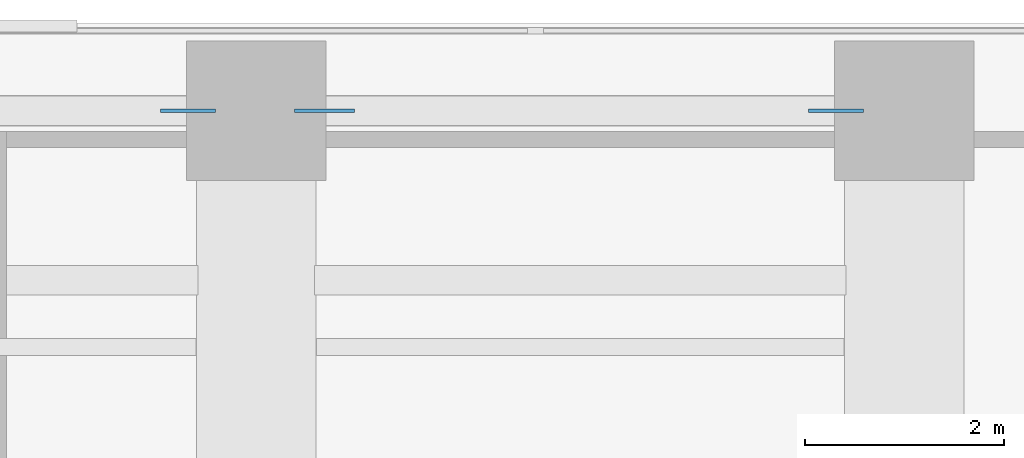
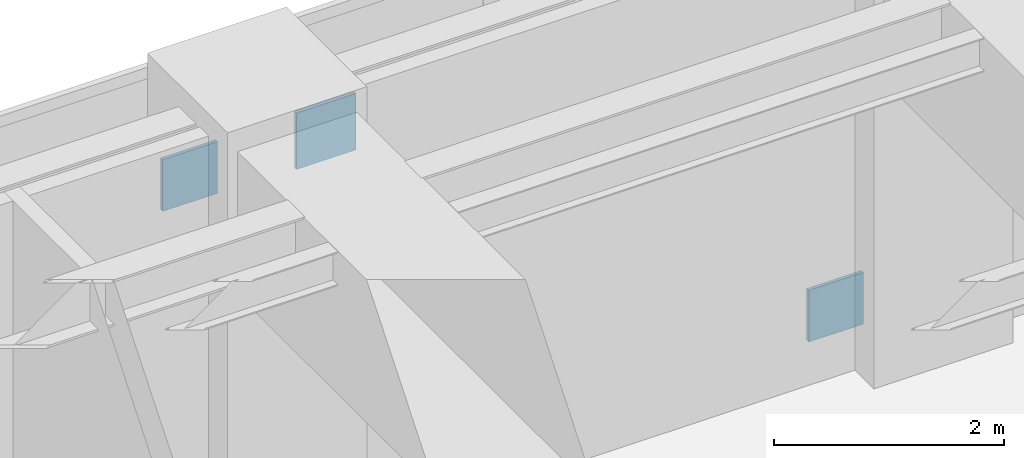
# One storey, part 24 of 31: 3 plates.
"""IFC4 building model written with IfcOpenShell, lengths in metres."""

from ifc_helpers import new_model, si_unit, direction, frame, origin, origin_2d, place, context, subcontext, project, spatial, rectangle, extrude, material, layer, layer_set, type_object, element, save


model = new_model("IFC4")

# Units and contexts
model_context = context("Model", 3, precision=1e-05, world=origin(), true_north=direction((0.0, 1.0)))
body_context = subcontext(model_context, "Body", "Model", "MODEL_VIEW")
ifc_project = project(units=[si_unit("LENGTHUNIT", "METRE"), si_unit("AREAUNIT", "SQUARE_METRE"), si_unit("VOLUMEUNIT", "CUBIC_METRE"), si_unit("PLANEANGLEUNIT", "RADIAN"), si_unit("MASSUNIT", "GRAM", prefix="KILO")], contexts=[model_context])

# Site, building, storey
site_placement = place(None, origin())
site = spatial("IfcSite", under=ifc_project, at=site_placement, CompositionType="ELEMENT")
building_placement = place(site_placement, origin())
building = spatial("IfcBuilding", under=site, at=building_placement, Name="Putna Gate Headquarters", CompositionType="ELEMENT")
storey_placement = place(building_placement, frame((0.0, 0.0, 81.0)))
storey = spatial("IfcBuildingStorey", under=building, at=storey_placement, Name="L19", CompositionType="ELEMENT", Elevation=81.0)

# Plates
ifc_material = material(Name="Steel S460M", Category="steel")
ifc_layer_1 = layer(ifc_material, 0.035888671875)
ifc_layer_set_1 = layer_set([ifc_layer_1], Name="Steel S460M")
plate_type_1 = type_object("IfcPlateType", Name="PLT-NODE-BN1", PredefinedType="SHEET", material=ifc_layer_set_1)
plate_placement = place(storey_placement, frame((65.68505859375, 51.1201171875, 3.81494140625), z_axis=(0.0, 0.0, 1.0), x_axis=(1.0, 0.0, 0.0)))
element("IfcPlate", 1, at=plate_placement, inside=storey, type_object=plate_type_1, Name="L19 Belt Truss Node Gusset Plate N10-E1", PredefinedType="SHEET", context=body_context, shape_type="SweptSolid", body=[
    extrude(rectangle(XDim=0.60009765625, YDim=0.035888671875, at=origin_2d()), origin(), (0.0, 0.0, 1.0), 0.60009765625),
])
ifc_layer_2 = layer(ifc_material, 0.035888671875)
ifc_layer_set_2 = layer_set([ifc_layer_2], Name="Steel S460M")
plate_type_2 = type_object("IfcPlateType", Name="PLT-NODE-BN2", PredefinedType="SHEET", material=ifc_layer_set_2)
for number, where, z_axis, x_axis, name in (
    (2, (64.31494140625, 51.1201171875, 3.83984375), (0.0, 0.0, 1.0), (1.0, 0.0, 0.0), "L19 Belt Truss Node Gusset Plate N9-E2"),
    (3, (70.81494140625, 51.1201171875, 0.1748046875), (0.0, 0.0, 1.0), (1.0, 0.0, 0.0), "L19 Belt Truss Node Gusset Plate N10-E2"),
):
    element("IfcPlate", number, at=place(storey_placement, frame(where, z_axis=z_axis, x_axis=x_axis)), inside=storey, type_object=plate_type_2, Name=name, PredefinedType="SHEET", context=body_context, shape_type="SweptSolid", body=[
        extrude(rectangle(XDim=0.550048828125, YDim=0.035888671875, at=origin_2d()), origin(), (0.0, 0.0, 1.0), 0.550048828125),
    ])

save(model, "model.ifc")
